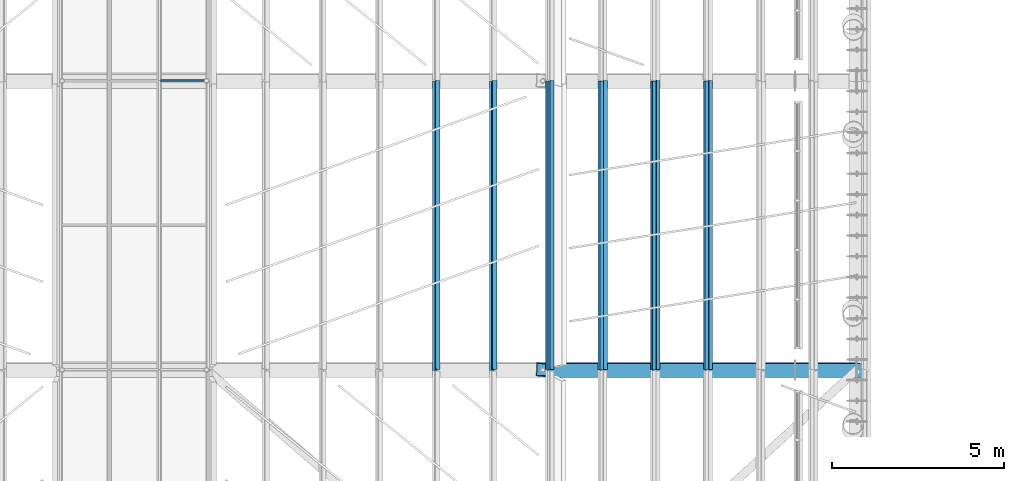
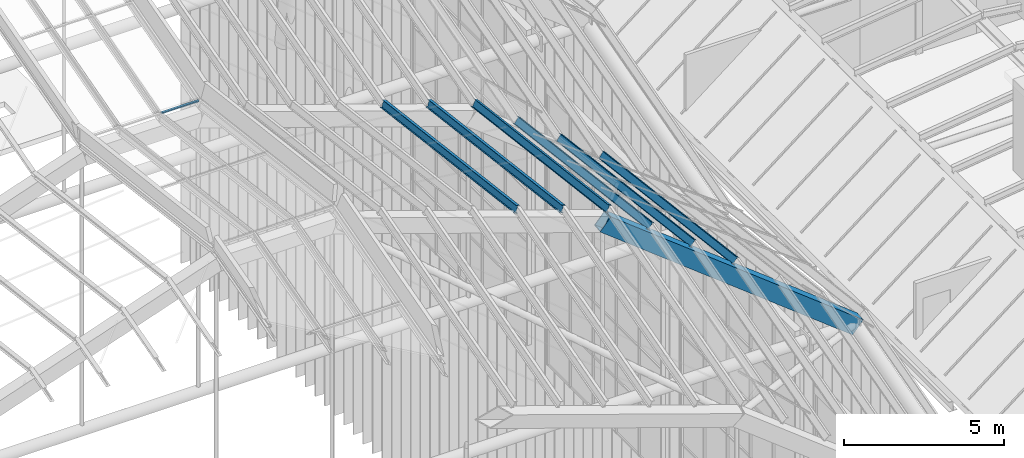
# One storey, part 41 of 126: 7 members, 1 beam.
"""IFC4 building model written with IfcOpenShell, lengths in metres."""

from ifc_helpers import new_model, si_unit, direction, frame, origin, origin_2d, place, context, subcontext, project, spatial, polyline, rectangle, i_section, outline, extrude, material, material_profile, profile_set, type_object, element, save


model = new_model("IFC4")

# Units and contexts
model_context = context("Model", 3, precision=1e-05, world=origin(), true_north=direction((0.0, 1.0)))
body_context = subcontext(model_context, "Body", "Model", "MODEL_VIEW")
ifc_project = project(units=[si_unit("LENGTHUNIT", "METRE"), si_unit("AREAUNIT", "SQUARE_METRE"), si_unit("VOLUMEUNIT", "CUBIC_METRE"), si_unit("PLANEANGLEUNIT", "RADIAN"), si_unit("MASSUNIT", "GRAM", prefix="KILO")], contexts=[model_context])

# Site, building, storey
site_placement = place(None, origin())
site = spatial("IfcSite", under=ifc_project, at=site_placement, CompositionType="ELEMENT")
building_placement = place(site_placement, origin())
building = spatial("IfcBuilding", under=site, at=building_placement, Name="Sava Quay Ferry Terminal", CompositionType="ELEMENT")
storey_placement = place(building_placement, frame((0.0, 0.0, 15.0)))
storey = spatial("IfcBuildingStorey", under=building, at=storey_placement, Name="L03", CompositionType="ELEMENT", Elevation=15.0)

# Beam
ifc_material_1 = material(Name="Steel S355", Category="steel")
ifc_material_profile_1 = material_profile(ifc_material_1, outline(polyline([(-0.199951171875, -0.300048828125), (0.199951171875, -0.300048828125), (0.199951171875, 0.300048828125), (-0.199951171875, 0.300048828125), (-0.199951171875, -0.300048828125)]), holes=[polyline([(-0.175048828125, -0.27490234375), (-0.175048828125, 0.27490234375), (0.175048828125, 0.27490234375), (0.175048828125, -0.27490234375), (-0.175048828125, -0.27490234375)])]), Name="Box 600x400x25 built-up")
ifc_profile_set_1 = profile_set([ifc_material_profile_1], Name="Steel S355")
beam_type = type_object("IfcBeamType", Name="D folded rib Box 600x400x25", PredefinedType="BEAM", material=ifc_profile_set_1)
beam_placement = place(storey_placement, frame((74.8701171875, 58.800048828125, 17.89013671875), z_axis=(0.788010316968, 0.0, -0.615662034198), x_axis=(0.036941091699, 0.998198243354, 0.047282372084)))
element("IfcBeam", 1, at=beam_placement, inside=storey, type_object=beam_type, Name="Departure hall folded rib R1 seg 5", PredefinedType="BEAM", context=body_context, shape_type="SweptSolid", body=[
    extrude(outline(polyline([(-0.199951171875, -0.300048828125), (0.199951171875, -0.300048828125), (0.199951171875, 0.300048828125), (-0.199951171875, 0.300048828125), (-0.199951171875, -0.300048828125)]), holes=[polyline([(-0.175048828125, -0.27490234375), (-0.175048828125, 0.27490234375), (0.175048828125, 0.27490234375), (0.175048828125, -0.27490234375), (-0.175048828125, -0.27490234375)])]), origin(), (0.0, 0.0, 1.0), 11.5859375),
])

# Members
ifc_material_2 = material(Name="Aluminium EN AW-6063 T6", Category="aluminium")
ifc_material_profile_2 = material_profile(ifc_material_2, rectangle(XDim=0.06005859375, YDim=0.06005859375, at=origin_2d()), Name="Bar 60 x 60")
ifc_profile_set_2 = profile_set([ifc_material_profile_2], Name="Aluminium EN AW-6063 T6")
member_type_1 = type_object("IfcMemberType", Name="Glazing bar 60x60", PredefinedType="USERDEFINED", material=ifc_profile_set_2)
member_placement = place(storey_placement, frame((63.763427734375, 67.199951171875, 20.81298828125), z_axis=(1.0, 0.0, 0.0), x_axis=(0.0, 0.962815070048, 0.270161323822)))
element("IfcMember", 2, at=member_placement, inside=storey, type_object=member_type_1, Name="Departure hall glazing bar D-R2-GT2.2", ObjectType="GLAZING BAR", PredefinedType="USERDEFINED", context=body_context, shape_type="SweptSolid", body=[
    extrude(rectangle(XDim=0.06005859375, YDim=0.06005859375, at=origin_2d()), origin(), (0.0, 0.0, 1.0), 1.356689453125),
])
ifc_material_3 = material(Name="Steel S355", Category="steel")
ifc_material_profile_3 = material_profile(ifc_material_3, i_section(OverallWidth=0.135009765625, OverallDepth=0.27001953125, WebThickness=0.006591796875, FlangeThickness=0.01025390625, at=origin_2d()), Name="IPE 270")
ifc_profile_set_3 = profile_set([ifc_material_profile_3], Name="Steel S355")
member_type_2 = type_object("IfcMemberType", Name="Roof purlin IPE 270", PredefinedType="PURLIN", material=ifc_profile_set_3)
for number, where, z_axis, x_axis, name in (
    (3, (71.77685546875, 58.800048828125, 19.41845703125), (0.0, 0.992379601397, -0.123218207788), (-0.946280328205, 0.039842287, 0.320883362952), "Departure hall purlin bay 2 M3.4"),
    (4, (73.427978515625, 58.800048828125, 18.849853515625), (0.0, 0.992379601397, -0.123218207788), (-0.946280328205, 0.039842287, 0.320883362952), "Departure hall purlin bay 2 M3.5"),
    (5, (75.079345703125, 58.800048828125, 18.28125), (0.0, 0.992379601397, -0.123218207788), (-0.880257827598, 0.058466508152, 0.4708798407), "Departure hall purlin bay 2 V4"),
    (6, (76.6103515625, 58.800048828125, 17.0849609375), (0.0, 0.992379601397, -0.123218207788), (-0.790288110365, 0.075500161074, 0.608066138091), "Departure hall purlin bay 2 M4.1"),
    (7, (78.1416015625, 58.800048828125, 15.888671875), (0.0, 0.992379601397, -0.123218207788), (-0.790288110365, 0.075500161074, 0.608066138091), "Departure hall purlin bay 2 M4.2"),
    (8, (79.6728515625, 58.800048828125, 14.6923828125), (0.0, 0.992379601397, -0.123218207788), (-0.790288110365, 0.075500161074, 0.608066138091), "Departure hall purlin bay 2 M4.3"),
):
    element("IfcMember", number, at=place(storey_placement, frame(where, z_axis=z_axis, x_axis=x_axis)), inside=storey, type_object=member_type_2, Name=name, PredefinedType="PURLIN", context=body_context, shape_type="SweptSolid", body=[
        extrude(i_section(OverallWidth=0.135009765625, OverallDepth=0.27001953125, WebThickness=0.006591796875, FlangeThickness=0.01025390625, at=origin_2d()), origin(), (0.0, 0.0, 1.0), 8.46435546875),
    ])

save(model, "model.ifc")
